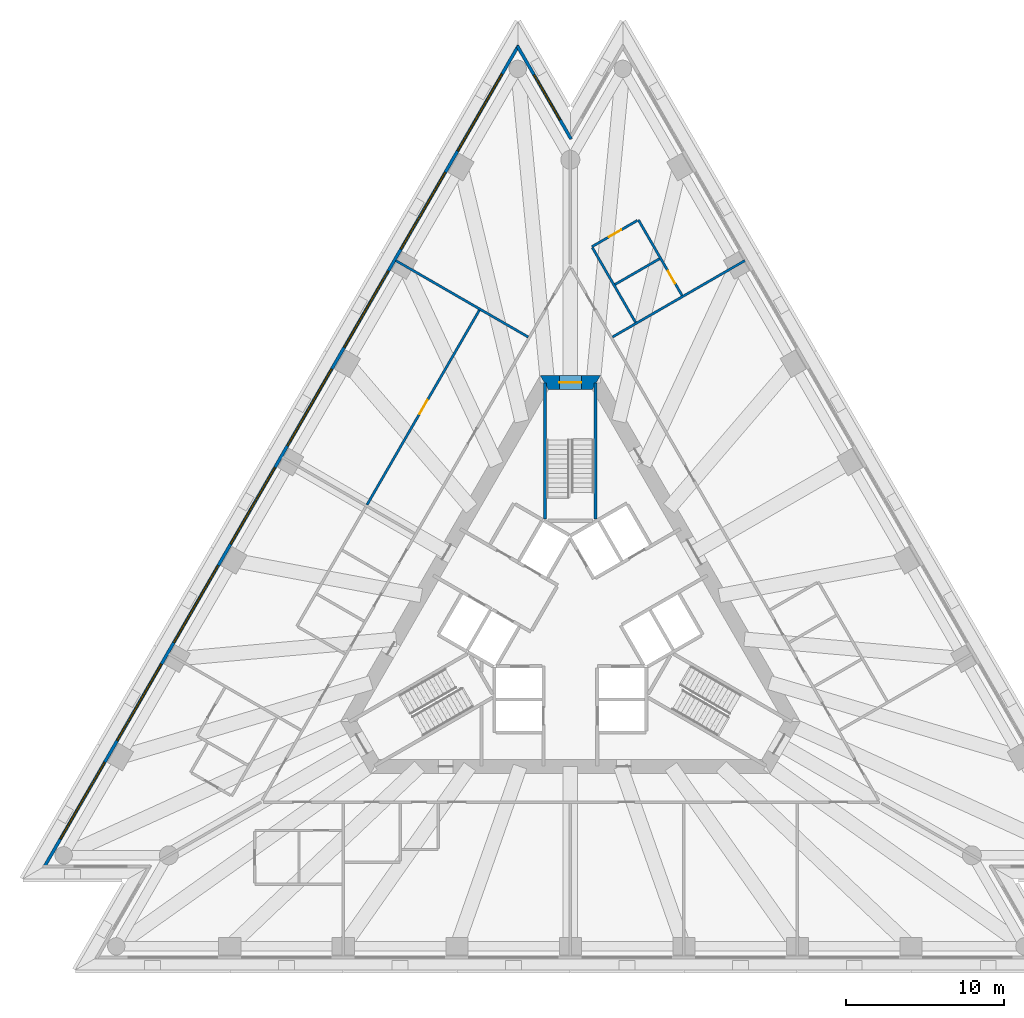
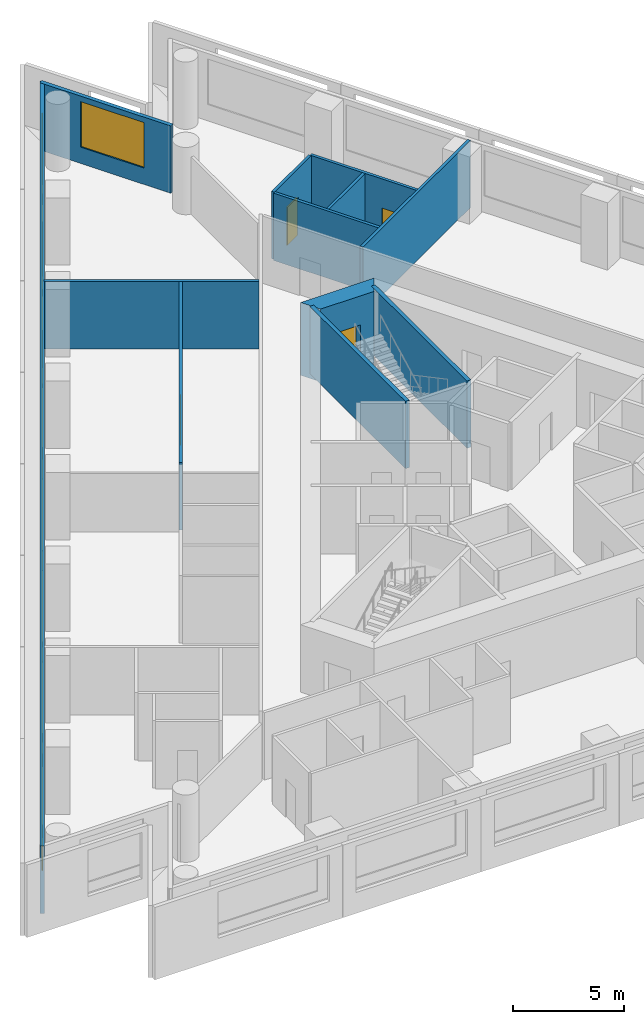
# One storey, part 7 of 11: 12 walls, 9 windows, 4 doors, 13 openings.
"""IFC4 building model written with IfcOpenShell, lengths in metres."""

from ifc_helpers import new_model, si_unit, direction, frame, frame_2d, origin, place, context, subcontext, project, spatial, polyline, rectangle, outline, extrude, material, layer, layer_set, layer_usage, type_object, element, fill, save


model = new_model("IFC4")

# Units and contexts
model_context = context("Model", 3, precision=1e-05, world=origin(), true_north=direction((0.0, 1.0)))
body_context = subcontext(model_context, "Body", "Model", "MODEL_VIEW")
ifc_project = project(units=[si_unit("LENGTHUNIT", "METRE"), si_unit("AREAUNIT", "SQUARE_METRE"), si_unit("VOLUMEUNIT", "CUBIC_METRE"), si_unit("PLANEANGLEUNIT", "RADIAN"), si_unit("MASSUNIT", "GRAM", prefix="KILO")], contexts=[model_context])

# Site, building, storey
site_placement = place(None, origin())
site = spatial("IfcSite", under=ifc_project, at=site_placement, CompositionType="ELEMENT")
building_placement = place(site_placement, origin())
building = spatial("IfcBuilding", under=site, at=building_placement, Name="Triada Interchange Tower", CompositionType="ELEMENT")
storey_placement = place(building_placement, frame((0.0, 0.0, 91.300048828125)))
storey = spatial("IfcBuildingStorey", under=building, at=storey_placement, Name="L20", CompositionType="ELEMENT", Elevation=91.300048828125)

# Walls
ifc_material_1 = material(Name="Concrete C30/37", Category="concrete")
ifc_layer_1 = layer(ifc_material_1, 0.199951171875)
ifc_layer_set_1 = layer_set([ifc_layer_1], Name="CORE WALL 200 REI 240")
wall_type_1 = type_object("IfcWallType", Name="CORE WALL 200 REI 240", PredefinedType="SOLIDWALL", material=ifc_layer_set_1)
for number, where, z_axis, x_axis, name in (
    (1, (1.60009765625, 6.614990234375, 0.0), (0.0, 0.0, 1.0), (0.0, 1.0, 0.0), "Wall L18 84"),
    (2, (-1.60009765625, 6.614990234375, 0.0), (0.0, 0.0, 1.0), (0.0, 1.0, 0.0), "Wall L18 86"),
):
    element("IfcWall", number, at=place(storey_placement, frame(where, z_axis=z_axis, x_axis=x_axis)), inside=storey, type_object=wall_type_1, Name=name, PredefinedType="SOLIDWALL", context=body_context, shape_type="SweptSolid", body=[
        extrude(rectangle(XDim=8.614990234375, YDim=0.199951171875, at=frame_2d((4.3076171875, 0.0))), origin(), (0.0, 0.0, 1.0), 3.699951171875),
    ])

# Wall, opening, door
ifc_material_2 = material(Name="Concrete C70/85", Category="concrete")
ifc_layer_2 = layer(ifc_material_2, 0.89990234375)
ifc_layer_set_2 = layer_set([ifc_layer_2], Name="Core wall A 900")
wall_type_2 = type_object("IfcWallType", Name="Core wall A 900", PredefinedType="SHEAR", material=ifc_layer_set_2)
wall_1_placement = place(storey_placement, frame((1.64501953125, 15.25, -0.300048828125), z_axis=(0.0, 0.0, 1.0), x_axis=(-1.0, 0.0, 0.0)))
wall_1 = element("IfcWall", 3, at=wall_1_placement, inside=storey, type_object=wall_type_2, Name="Core wall WA01 L20", PredefinedType="SHEAR", context=body_context, shape_type="SweptSolid", body=[
    extrude(outline(polyline([(-0.260009765625, -0.449951171875), (1.64501953125, -0.449951171875), (3.550048828125, -0.449951171875), (3.031005859375, 0.449951171875), (1.64501953125, 0.449951171875), (0.259033203125, 0.449951171875), (-0.260009765625, -0.449951171875)])), origin(), (0.0, 0.0, 1.0), 4.0),
])
opening_1_placement = place(wall_1_placement, frame((0.945068359375, 0.0, 0.300048828125)))
opening_1 = element("IfcOpeningElement", 4, at=opening_1_placement, cuts=wall_1, Name="Opening D18-39", PredefinedType="OPENING", context=body_context, shape_type="SweptSolid", body=[
    extrude(rectangle(XDim=1.39990234375, YDim=2.10009765625, at=frame_2d((0.699951171875, 1.050048828125))), frame((0.0, 0.4599609375, 0.0), z_axis=(0.0, -1.0, 0.0), x_axis=(1.0, 0.0, 0.0)), (0.0, 0.0, 1.0), 0.919921875),
])
ifc_material_3 = material(Name="Steel S235 door leaf", Category="steel")
door_type_1 = type_object("IfcDoorType", Name="STAIR DOOR 1400 EI2 90-C5S200", OperationType="DOUBLE_DOOR_SINGLE_SWING", PredefinedType="DOOR", material=ifc_material_3)
door_1_placement = place(opening_1_placement, origin())
door_1 = element("IfcDoor", 5, at=door_1_placement, inside=storey, type_object=door_type_1, Name="Door D18-39 L20", OperationType="DOUBLE_DOOR_SINGLE_SWING", OverallHeight=2.10009765625, OverallWidth=1.39990234375, PredefinedType="DOOR", context=body_context, shape_type="SweptSolid", body=[
    extrude(rectangle(XDim=1.39990234375, YDim=2.10009765625, at=frame_2d((0.699951171875, 1.050048828125))), frame((0.0, 0.02490234375, 0.0), z_axis=(0.0, -1.0, 0.0), x_axis=(1.0, 0.0, 0.0)), (0.0, 0.0, 1.0), 0.050048828125),
])
fill(opening_1, door_1)

# Wall, openings, windows
ifc_material_4 = material(Name="Cement board")
ifc_layer_3 = layer(ifc_material_4, 0.02001953125, Name="Cement board cladding")
ifc_material_5 = material(Name="Sheathing board")
ifc_layer_4 = layer(ifc_material_5, 0.014892578125, Name="Sheathing board")
ifc_material_6 = material(Name="Mineral wool")
ifc_layer_5 = layer(ifc_material_6, 0.14990234375, Name="Mineral wool between steel studs")
ifc_material_7 = material(Name="Gypsum board")
ifc_layer_6 = layer(ifc_material_7, 0.014892578125, Name="Plasterboard lining")
ifc_layer_set_3 = layer_set([ifc_layer_3, ifc_layer_4, ifc_layer_5, ifc_layer_6], Name="External wall 200")
ifc_layer_usage = layer_usage(ifc_layer_set_3, "AXIS2", "POSITIVE", -0.10009765625)
wall_type_3 = type_object("IfcWallType", Name="External wall 200", PredefinedType="ELEMENTEDWALL", material=ifc_layer_set_3)
wall_2_placement = place(storey_placement, frame((-3.280029296875, 36.576904296875, 0.0), z_axis=(0.0, 0.0, 1.0), x_axis=(-0.500001635065, -0.866024459777, 0.0)))
wall_2 = element("IfcWall", 6, at=wall_2_placement, inside=storey, type_object=wall_type_3, material=ifc_layer_usage, Name="External wall L20 NW", PredefinedType="ELEMENTEDWALL", context=body_context, shape_type="SweptSolid", body=[
    extrude(rectangle(XDim=60.053466796875, YDim=0.199951171875, at=frame_2d((30.02685546875, 0.0))), origin(), (0.0, 0.0, 1.0), 3.699951171875),
])
opening_2_placement = place(wall_2_placement, frame((2.093994140625, 0.0, 0.89990234375)))
opening_2 = element("IfcOpeningElement", 7, at=opening_2_placement, cuts=wall_2, Name="Opening WA01", PredefinedType="OPENING", context=body_context, shape_type="SweptSolid", body=[
    extrude(rectangle(XDim=5.60009765625, YDim=2.5, at=frame_2d((2.800048828125, 1.25))), frame((0.0, 0.10986328125, 0.0), z_axis=(0.0, -1.0, 0.0), x_axis=(1.0, 0.0, 0.0)), (0.0, 0.0, 1.0), 0.219970703125),
])
opening_3_placement = place(wall_2_placement, frame((9.278076171875, 0.0, 0.89990234375)))
opening_3 = element("IfcOpeningElement", 8, at=opening_3_placement, cuts=wall_2, Name="Opening WA02", PredefinedType="OPENING", context=body_context, shape_type="SweptSolid", body=[
    extrude(rectangle(XDim=5.60009765625, YDim=2.5, at=frame_2d((2.800048828125, 1.25))), frame((0.0, 0.10986328125, 0.0), z_axis=(0.0, -1.0, 0.0), x_axis=(1.0, 0.0, 0.0)), (0.0, 0.0, 1.0), 0.219970703125),
])
opening_4_placement = place(wall_2_placement, frame((16.4609375, 0.0, 0.89990234375)))
opening_4 = element("IfcOpeningElement", 9, at=opening_4_placement, cuts=wall_2, Name="Opening WA03", PredefinedType="OPENING", context=body_context, shape_type="SweptSolid", body=[
    extrude(rectangle(XDim=5.60009765625, YDim=2.5, at=frame_2d((2.800048828125, 1.25))), frame((0.0, 0.10986328125, 0.0), z_axis=(0.0, -1.0, 0.0), x_axis=(1.0, 0.0, 0.0)), (0.0, 0.0, 1.0), 0.219970703125),
])
opening_5_placement = place(wall_2_placement, frame((23.64501953125, 0.0, 0.89990234375)))
opening_5 = element("IfcOpeningElement", 10, at=opening_5_placement, cuts=wall_2, Name="Opening WA04", PredefinedType="OPENING", context=body_context, shape_type="SweptSolid", body=[
    extrude(rectangle(XDim=5.60009765625, YDim=2.5, at=frame_2d((2.800048828125, 1.25))), frame((0.0, 0.10986328125, 0.0), z_axis=(0.0, -1.0, 0.0), x_axis=(1.0, 0.0, 0.0)), (0.0, 0.0, 1.0), 0.219970703125),
])
opening_6_placement = place(wall_2_placement, frame((30.827880859375, 0.0, 0.89990234375)))
opening_6 = element("IfcOpeningElement", 11, at=opening_6_placement, cuts=wall_2, Name="Opening WA05", PredefinedType="OPENING", context=body_context, shape_type="SweptSolid", body=[
    extrude(rectangle(XDim=5.60009765625, YDim=2.5, at=frame_2d((2.800048828125, 1.25))), frame((0.0, 0.10986328125, 0.0), z_axis=(0.0, -1.0, 0.0), x_axis=(1.0, 0.0, 0.0)), (0.0, 0.0, 1.0), 0.219970703125),
])
opening_7_placement = place(wall_2_placement, frame((38.011962890625, 0.0, 0.89990234375)))
opening_7 = element("IfcOpeningElement", 12, at=opening_7_placement, cuts=wall_2, Name="Opening WA06", PredefinedType="OPENING", context=body_context, shape_type="SweptSolid", body=[
    extrude(rectangle(XDim=5.60009765625, YDim=2.5, at=frame_2d((2.800048828125, 1.25))), frame((0.0, 0.10986328125, 0.0), z_axis=(0.0, -1.0, 0.0), x_axis=(1.0, 0.0, 0.0)), (0.0, 0.0, 1.0), 0.219970703125),
])
opening_8_placement = place(wall_2_placement, frame((45.195068359375, 0.0, 0.89990234375)))
opening_8 = element("IfcOpeningElement", 13, at=opening_8_placement, cuts=wall_2, Name="Opening WA07", PredefinedType="OPENING", context=body_context, shape_type="SweptSolid", body=[
    extrude(rectangle(XDim=5.60009765625, YDim=2.5, at=frame_2d((2.800048828125, 1.25))), frame((0.0, 0.10986328125, 0.0), z_axis=(0.0, -1.0, 0.0), x_axis=(1.0, 0.0, 0.0)), (0.0, 0.0, 1.0), 0.219970703125),
])
opening_9_placement = place(wall_2_placement, frame((52.37890625, 0.0, 0.89990234375)))
opening_9 = element("IfcOpeningElement", 14, at=opening_9_placement, cuts=wall_2, Name="Opening WA08", PredefinedType="OPENING", context=body_context, shape_type="SweptSolid", body=[
    extrude(rectangle(XDim=5.60009765625, YDim=2.5, at=frame_2d((2.800048828125, 1.25))), frame((0.0, 0.10986328125, 0.0), z_axis=(0.0, -1.0, 0.0), x_axis=(1.0, 0.0, 0.0)), (0.0, 0.0, 1.0), 0.219970703125),
])
ifc_material_8 = material(Name="Double glazed aluminium window", Category="aluminium")
window_type_1 = type_object("IfcWindowType", Name="Ribbon window A face", PartitioningType="SINGLE_PANEL", PredefinedType="WINDOW", material=ifc_material_8)
window_1_placement = place(opening_2_placement, origin())
window_1 = element("IfcWindow", 15, at=window_1_placement, inside=storey, type_object=window_type_1, Name="Window L20 NW 1", OverallHeight=2.5, OverallWidth=5.60009765625, PartitioningType="SINGLE_PANEL", PredefinedType="WINDOW", context=body_context, shape_type="SweptSolid", body=[
    extrude(rectangle(XDim=5.60009765625, YDim=2.5, at=frame_2d((2.800048828125, 1.25))), frame((0.0, 0.030029296875, 0.0), z_axis=(0.0, -1.0, 0.0), x_axis=(1.0, 0.0, 0.0)), (0.0, 0.0, 1.0), 0.06005859375),
])
fill(opening_2, window_1)
window_2_placement = place(opening_3_placement, origin())
window_2 = element("IfcWindow", 16, at=window_2_placement, inside=storey, type_object=window_type_1, Name="Window L20 NW 2", OverallHeight=2.5, OverallWidth=5.60009765625, PartitioningType="SINGLE_PANEL", PredefinedType="WINDOW", context=body_context, shape_type="SweptSolid", body=[
    extrude(rectangle(XDim=5.60009765625, YDim=2.5, at=frame_2d((2.800048828125, 1.25))), frame((0.0, 0.030029296875, 0.0), z_axis=(0.0, -1.0, 0.0), x_axis=(1.0, 0.0, 0.0)), (0.0, 0.0, 1.0), 0.06005859375),
])
fill(opening_3, window_2)
window_3_placement = place(opening_4_placement, origin())
window_3 = element("IfcWindow", 17, at=window_3_placement, inside=storey, type_object=window_type_1, Name="Window L20 NW 3", OverallHeight=2.5, OverallWidth=5.60009765625, PartitioningType="SINGLE_PANEL", PredefinedType="WINDOW", context=body_context, shape_type="SweptSolid", body=[
    extrude(rectangle(XDim=5.60009765625, YDim=2.5, at=frame_2d((2.800048828125, 1.25))), frame((0.0, 0.030029296875, 0.0), z_axis=(0.0, -1.0, 0.0), x_axis=(1.0, 0.0, 0.0)), (0.0, 0.0, 1.0), 0.06005859375),
])
fill(opening_4, window_3)
window_4_placement = place(opening_5_placement, origin())
window_4 = element("IfcWindow", 18, at=window_4_placement, inside=storey, type_object=window_type_1, Name="Window L20 NW 4", OverallHeight=2.5, OverallWidth=5.60009765625, PartitioningType="SINGLE_PANEL", PredefinedType="WINDOW", context=body_context, shape_type="SweptSolid", body=[
    extrude(rectangle(XDim=5.60009765625, YDim=2.5, at=frame_2d((2.800048828125, 1.25))), frame((0.0, 0.030029296875, 0.0), z_axis=(0.0, -1.0, 0.0), x_axis=(1.0, 0.0, 0.0)), (0.0, 0.0, 1.0), 0.06005859375),
])
fill(opening_5, window_4)
window_5_placement = place(opening_6_placement, origin())
window_5 = element("IfcWindow", 19, at=window_5_placement, inside=storey, type_object=window_type_1, Name="Window L20 NW 5", OverallHeight=2.5, OverallWidth=5.60009765625, PartitioningType="SINGLE_PANEL", PredefinedType="WINDOW", context=body_context, shape_type="SweptSolid", body=[
    extrude(rectangle(XDim=5.60009765625, YDim=2.5, at=frame_2d((2.800048828125, 1.25))), frame((0.0, 0.030029296875, 0.0), z_axis=(0.0, -1.0, 0.0), x_axis=(1.0, 0.0, 0.0)), (0.0, 0.0, 1.0), 0.06005859375),
])
fill(opening_6, window_5)
window_6_placement = place(opening_7_placement, origin())
window_6 = element("IfcWindow", 20, at=window_6_placement, inside=storey, type_object=window_type_1, Name="Window L20 NW 6", OverallHeight=2.5, OverallWidth=5.60009765625, PartitioningType="SINGLE_PANEL", PredefinedType="WINDOW", context=body_context, shape_type="SweptSolid", body=[
    extrude(rectangle(XDim=5.60009765625, YDim=2.5, at=frame_2d((2.800048828125, 1.25))), frame((0.0, 0.030029296875, 0.0), z_axis=(0.0, -1.0, 0.0), x_axis=(1.0, 0.0, 0.0)), (0.0, 0.0, 1.0), 0.06005859375),
])
fill(opening_7, window_6)
window_7_placement = place(opening_8_placement, origin())
window_7 = element("IfcWindow", 21, at=window_7_placement, inside=storey, type_object=window_type_1, Name="Window L20 NW 7", OverallHeight=2.5, OverallWidth=5.60009765625, PartitioningType="SINGLE_PANEL", PredefinedType="WINDOW", context=body_context, shape_type="SweptSolid", body=[
    extrude(rectangle(XDim=5.60009765625, YDim=2.5, at=frame_2d((2.800048828125, 1.25))), frame((0.0, 0.030029296875, 0.0), z_axis=(0.0, -1.0, 0.0), x_axis=(1.0, 0.0, 0.0)), (0.0, 0.0, 1.0), 0.06005859375),
])
fill(opening_8, window_7)
window_8_placement = place(opening_9_placement, origin())
window_8 = element("IfcWindow", 22, at=window_8_placement, inside=storey, type_object=window_type_1, Name="Window L20 NW 8", OverallHeight=2.5, OverallWidth=5.60009765625, PartitioningType="SINGLE_PANEL", PredefinedType="WINDOW", context=body_context, shape_type="SweptSolid", body=[
    extrude(rectangle(XDim=5.60009765625, YDim=2.5, at=frame_2d((2.800048828125, 1.25))), frame((0.0, 0.030029296875, 0.0), z_axis=(0.0, -1.0, 0.0), x_axis=(1.0, 0.0, 0.0)), (0.0, 0.0, 1.0), 0.06005859375),
])
fill(opening_9, window_8)

# Wall, opening, window
wall_3_placement = place(storey_placement, frame((0.044921875, 30.662109375, 0.0), z_axis=(0.0, 0.0, 1.0), x_axis=(-0.499983120418, 0.866035148996, 0.0)))
wall_3 = element("IfcWall", 23, at=wall_3_placement, inside=storey, type_object=wall_type_3, material=ifc_layer_usage, Name="External wall L20 N-2", PredefinedType="ELEMENTEDWALL", context=body_context, shape_type="SweptSolid", body=[
    extrude(rectangle(XDim=6.810302734375, YDim=0.199951171875, at=frame_2d((3.4052734375, 0.0))), origin(), (0.0, 0.0, 1.0), 3.699951171875),
])
opening_10_placement = place(wall_3_placement, frame((1.389892578125, 0.0, 0.89990234375)))
opening_10 = element("IfcOpeningElement", 24, at=opening_10_placement, cuts=wall_3, Name="Opening WA30", PredefinedType="OPENING", context=body_context, shape_type="SweptSolid", body=[
    extrude(rectangle(XDim=3.300048828125, YDim=2.5, at=frame_2d((1.64990234375, 1.25))), frame((0.0, 0.10986328125, 0.0), z_axis=(0.0, -1.0, 0.0), x_axis=(1.0, 0.0, 0.0)), (0.0, 0.0, 1.0), 0.219970703125),
])
window_type_2 = type_object("IfcWindowType", Name="Ribbon window A pocket", PartitioningType="SINGLE_PANEL", PredefinedType="WINDOW", material=ifc_material_8)
window_9_placement = place(opening_10_placement, origin())
window_9 = element("IfcWindow", 25, at=window_9_placement, inside=storey, type_object=window_type_2, Name="Window L20 N-2 1", OverallHeight=2.5, OverallWidth=3.300048828125, PartitioningType="SINGLE_PANEL", PredefinedType="WINDOW", context=body_context, shape_type="SweptSolid", body=[
    extrude(rectangle(XDim=3.300048828125, YDim=2.5, at=frame_2d((1.64990234375, 1.25))), frame((0.0, 0.030029296875, 0.0), z_axis=(0.0, -1.0, 0.0), x_axis=(1.0, 0.0, 0.0)), (0.0, 0.0, 1.0), 0.06005859375),
])
fill(opening_10, window_9)

# Walls
ifc_material_9 = material(Name="Gypsum board partition")
ifc_layer_7 = layer(ifc_material_9, 0.14990234375)
ifc_layer_set_4 = layer_set([ifc_layer_7], Name="PARTITION 150 EI 180")
wall_type_4 = type_object("IfcWallType", Name="PARTITION 150 EI 180", PredefinedType="PARTITIONING", material=ifc_layer_set_4)
for number, where, z_axis, x_axis, name in (
    (26, (-11.044921875, 22.967041015625, 0.0), (0.0, 0.0, 1.0), (0.866018320735, -0.500012268001, 0.0), "Wall L18 14"),
    (27, (2.6669921875, 18.1298828125, 0.0), (0.0, 0.0, 1.0), (0.866018320735, 0.500012268001, 0.0), "Wall L18 20"),
):
    element("IfcWall", number, at=place(storey_placement, frame(where, z_axis=z_axis, x_axis=x_axis)), inside=storey, type_object=wall_type_4, Name=name, PredefinedType="PARTITIONING", context=body_context, shape_type="SweptSolid", body=[
        extrude(rectangle(XDim=9.674072265625, YDim=0.14990234375, at=frame_2d((4.8369140625, 0.0))), origin(), (0.0, 0.0, 1.0), 3.699951171875),
    ])

# Wall, opening, door
ifc_layer_8 = layer(ifc_material_9, 0.14990234375)
ifc_layer_set_5 = layer_set([ifc_layer_8], Name="PARTITION 150 EI 90")
wall_type_5 = type_object("IfcWallType", Name="PARTITION 150 EI 90", PredefinedType="PARTITIONING", material=ifc_layer_set_5)
wall_4_placement = place(storey_placement, frame((-12.865966796875, 7.514892578125, 0.0), z_axis=(0.0, 0.0, 1.0), x_axis=(0.499947407797, 0.866055765778, 0.0)))
wall_4 = element("IfcWall", 28, at=wall_4_placement, inside=storey, type_object=wall_type_5, Name="Wall L18 37", PredefinedType="PARTITIONING", context=body_context, shape_type="SweptSolid", body=[
    extrude(rectangle(XDim=14.21728515625, YDim=0.14990234375, at=frame_2d((7.108642578125, 0.0))), origin(), (0.0, 0.0, 1.0), 3.699951171875),
])
opening_11_placement = place(wall_4_placement, frame((6.64208984375, 0.0, 0.0)))
opening_11 = element("IfcOpeningElement", 29, at=opening_11_placement, cuts=wall_4, Name="Opening D18-30", PredefinedType="OPENING", context=body_context, shape_type="SweptSolid", body=[
    extrude(rectangle(XDim=1.0, YDim=2.10009765625, at=frame_2d((0.5, 1.050048828125))), frame((0.0, 0.0849609375, 0.0), z_axis=(0.0, -1.0, 0.0), x_axis=(1.0, 0.0, 0.0)), (0.0, 0.0, 1.0), 0.169921875),
])
door_type_2 = type_object("IfcDoorType", Name="ROOM DOOR 1000 EI2 45-C5S200", OperationType="NOTDEFINED", PredefinedType="DOOR", material=ifc_material_3)
door_2_placement = place(opening_11_placement, origin())
door_2 = element("IfcDoor", 30, at=door_2_placement, inside=storey, type_object=door_type_2, Name="Door D18-30 L20", OperationType="SINGLE_SWING_LEFT", OverallHeight=2.10009765625, OverallWidth=1.0, PredefinedType="DOOR", context=body_context, shape_type="SweptSolid", body=[
    extrude(rectangle(XDim=1.0, YDim=2.10009765625, at=frame_2d((0.5, 1.050048828125))), frame((0.0, 0.02490234375, 0.0), z_axis=(0.0, -1.0, 0.0), x_axis=(1.0, 0.0, 0.0)), (0.0, 0.0, 1.0), 0.050048828125),
])
fill(opening_11, door_2)

# Wall
wall_5_placement = place(storey_placement, frame((2.825927734375, 21.455078125, 0.0), z_axis=(0.0, 0.0, 1.0), x_axis=(0.866071776036, 0.499919672301, 0.0)))
element("IfcWall", 31, at=wall_5_placement, inside=storey, type_object=wall_type_5, Name="Wall L18 38", PredefinedType="PARTITIONING", context=body_context, shape_type="SweptSolid", body=[
    extrude(rectangle(XDim=3.25048828125, YDim=0.14990234375, at=frame_2d((1.625244140625, 0.0))), origin(), (0.0, 0.0, 1.0), 3.699951171875),
])

# Wall, opening, door
wall_6_placement = place(storey_placement, frame((4.305908203125, 25.5419921875, 0.0), z_axis=(0.0, 0.0, 1.0), x_axis=(0.500027228848, -0.866009682631, 0.0)))
wall_6 = element("IfcWall", 32, at=wall_6_placement, inside=storey, type_object=wall_type_5, Name="Wall L18 39", PredefinedType="PARTITIONING", context=body_context, shape_type="SweptSolid", body=[
    extrude(rectangle(XDim=5.524169921875, YDim=0.14990234375, at=frame_2d((2.76220703125, 0.0))), origin(), (0.0, 0.0, 1.0), 3.699951171875),
])
opening_12_placement = place(wall_6_placement, frame((3.7490234375, 0.0, 0.0)))
opening_12 = element("IfcOpeningElement", 33, at=opening_12_placement, cuts=wall_6, Name="Opening D18-26", PredefinedType="OPENING", context=body_context, shape_type="SweptSolid", body=[
    extrude(rectangle(XDim=0.89990234375, YDim=2.10009765625, at=frame_2d((0.449951171875, 1.050048828125))), frame((0.0, 0.0849609375, 0.0), z_axis=(0.0, -1.0, 0.0), x_axis=(1.0, 0.0, 0.0)), (0.0, 0.0, 1.0), 0.169921875),
])
door_type_3 = type_object("IfcDoorType", Name="ROOM DOOR 900 EI2 45-C5S200", OperationType="NOTDEFINED", PredefinedType="DOOR", material=ifc_material_3)
door_3_placement = place(opening_12_placement, origin())
door_3 = element("IfcDoor", 34, at=door_3_placement, inside=storey, type_object=door_type_3, Name="Door D18-26 L20", OperationType="SINGLE_SWING_LEFT", OverallHeight=2.10009765625, OverallWidth=0.89990234375, PredefinedType="DOOR", context=body_context, shape_type="SweptSolid", body=[
    extrude(rectangle(XDim=0.89990234375, YDim=2.10009765625, at=frame_2d((0.449951171875, 1.050048828125))), frame((0.0, 0.02490234375, 0.0), z_axis=(0.0, -1.0, 0.0), x_axis=(1.0, 0.0, 0.0)), (0.0, 0.0, 1.0), 0.050048828125),
])
fill(opening_12, door_3)

wall_7_placement = place(storey_placement, frame((1.361083984375, 23.842041015625, 0.0), z_axis=(0.0, 0.0, 1.0), x_axis=(0.866007085157, 0.500031727451, 0.0)))
wall_7 = element("IfcWall", 35, at=wall_7_placement, inside=storey, type_object=wall_type_5, Name="Wall L18 40", PredefinedType="PARTITIONING", context=body_context, shape_type="SweptSolid", body=[
    extrude(rectangle(XDim=3.325439453125, YDim=0.14990234375, at=frame_2d((1.66259765625, 0.0))), origin(), (0.0, 0.0, 1.0), 3.699951171875),
])
opening_13_placement = place(wall_7_placement, frame((1.25, 0.0, 0.0)))
opening_13 = element("IfcOpeningElement", 36, at=opening_13_placement, cuts=wall_7, Name="Opening D18-27", PredefinedType="OPENING", context=body_context, shape_type="SweptSolid", body=[
    extrude(rectangle(XDim=0.89990234375, YDim=2.10009765625, at=frame_2d((0.449951171875, 1.050048828125))), frame((0.0, 0.0849609375, 0.0), z_axis=(0.0, -1.0, 0.0), x_axis=(1.0, 0.0, 0.0)), (0.0, 0.0, 1.0), 0.169921875),
])
door_4_placement = place(opening_13_placement, origin())
door_4 = element("IfcDoor", 37, at=door_4_placement, inside=storey, type_object=door_type_3, Name="Door D18-27 L20", OperationType="SINGLE_SWING_RIGHT", OverallHeight=2.10009765625, OverallWidth=0.89990234375, PredefinedType="DOOR", context=body_context, shape_type="SweptSolid", body=[
    extrude(rectangle(XDim=0.89990234375, YDim=2.10009765625, at=frame_2d((0.449951171875, 1.050048828125))), frame((0.0, 0.02490234375, 0.0), z_axis=(0.0, -1.0, 0.0), x_axis=(1.0, 0.0, 0.0)), (0.0, 0.0, 1.0), 0.050048828125),
])
fill(opening_13, door_4)

# Wall
wall_8_placement = place(storey_placement, frame((1.39892578125, 23.777099609375, 0.0), z_axis=(0.0, 0.0, 1.0), x_axis=(0.500080528864, -0.865978905431, 0.0)))
element("IfcWall", 38, at=wall_8_placement, inside=storey, type_object=wall_type_5, Name="Wall L18 41", PredefinedType="PARTITIONING", context=body_context, shape_type="SweptSolid", body=[
    extrude(rectangle(XDim=5.44921875, YDim=0.14990234375, at=frame_2d((2.724609375, 0.0))), origin(), (0.0, 0.0, 1.0), 3.699951171875),
])

save(model, "model.ifc")
